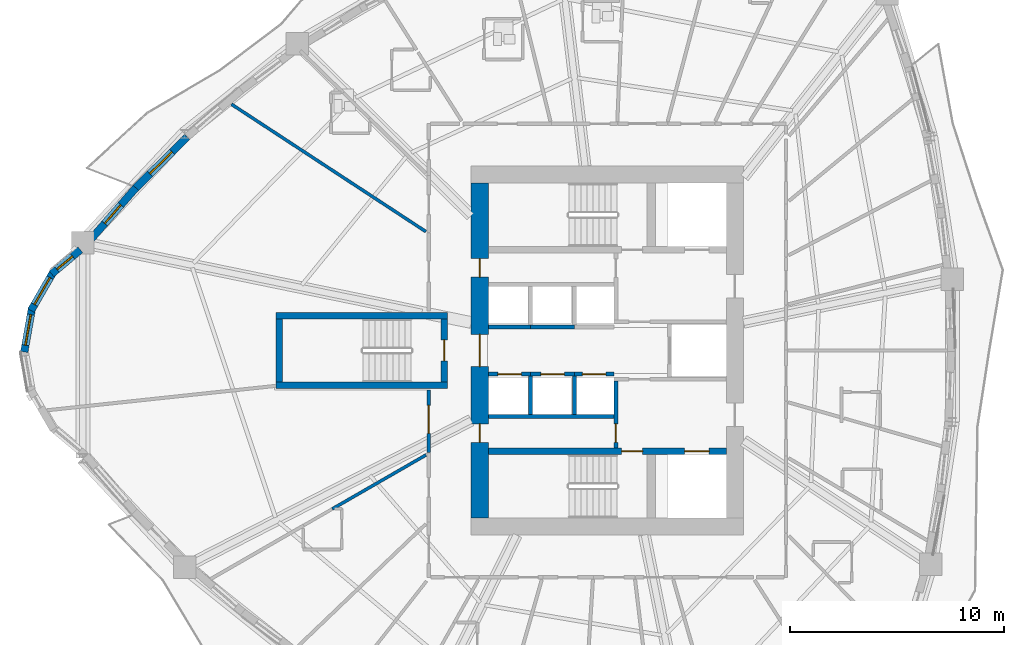
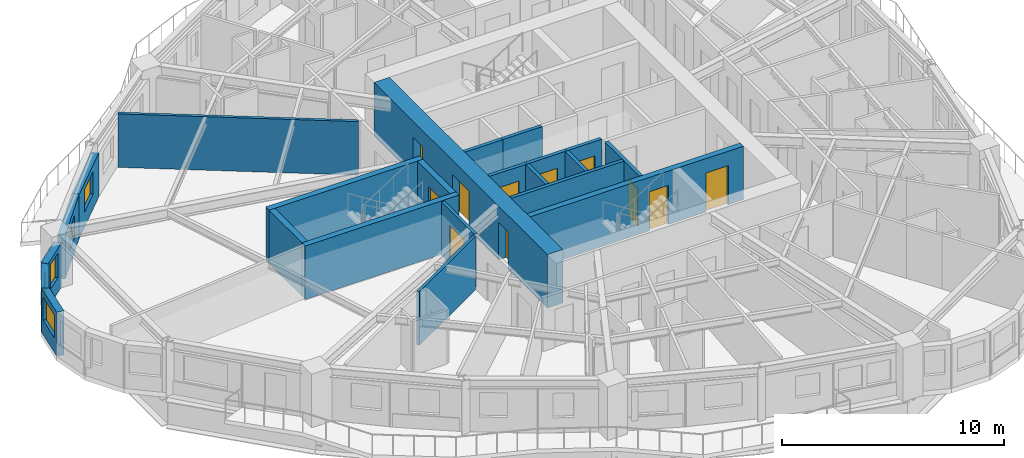
# One storey, part 5 of 14: 23 walls, 11 doors, 5 windows, 16 openings.
"""IFC4 building model written with IfcOpenShell, lengths in metres."""

import ifcopenshell
import ifcopenshell.guid

model = None  # the IFC model being written
_history = None  # IfcOwnerHistory: only IFC2X3 demands one
_inside = {}  # id of a spatial element -> (the spatial element, [elements in it])
_under = {}  # id of a project, library or spatial element -> (it, [spatial elements below it])
_declared = {}  # id of a project -> (the project, [libraries it declares])
_typed = {}  # id of a type object -> (the type object, [elements of that type])
_made_of = {}  # id of a material, layer set ... -> (it, [elements and type objects made of it])


def new_model(schema):
    """Start an empty IFC model of exactly this schema.

    Asked for "IFC4X3", IfcOpenShell would pick the latest addendum, in which some entities
    have other attributes; the version numbers below select the first issue.
    IFC2X3 requires an IfcOwnerHistory on every rooted entity: one is made here for all.
    """
    global model, _history
    if schema == "IFC4X3":
        model = ifcopenshell.file(schema_version=(4, 3, 0, 0))
    else:
        model = ifcopenshell.file(schema=schema)
    _inside.clear()
    _under.clear()
    _declared.clear()
    _typed.clear()
    _made_of.clear()
    _history = None
    if model.schema == "IFC2X3":
        org = make("IfcOrganization", Name="unknown")
        user = make(
            "IfcPersonAndOrganization",
            ThePerson=make("IfcPerson", FamilyName="unknown"),
            TheOrganization=org,
        )
        app = make(
            "IfcApplication",
            ApplicationDeveloper=org,
            Version="unknown",
            ApplicationFullName="unknown",
            ApplicationIdentifier="unknown",
        )
        _history = make(
            "IfcOwnerHistory",
            OwningUser=user,
            OwningApplication=app,
            ChangeAction="ADDED",
            CreationDate=0,
        )
    return model


def make(cls, **values):
    """One entity of the class cls with the attributes given. An attribute that is None is left unset."""
    return model.create_entity(
        cls, **{name: value for name, value in values.items() if value is not None}
    )


def rooted(cls, **values):
    """An entity with a GlobalId (a new one), such as an element, a storey or a relation."""
    return make(cls, GlobalId=ifcopenshell.guid.new(), OwnerHistory=_history, **values)


def si_unit(unit_type, name, prefix=None):
    """IfcSIUnit, for example si_unit("LENGTHUNIT", "METRE", prefix="MILLI")."""
    return make("IfcSIUnit", UnitType=unit_type, Prefix=prefix, Name=name)


def assignment(units):
    """IfcUnitAssignment: the units of a project."""
    return None if units is None else make("IfcUnitAssignment", Units=units)


def point(xyz):
    """IfcCartesianPoint."""
    return None if xyz is None else make("IfcCartesianPoint", Coordinates=xyz)


def direction(xyz):
    """IfcDirection."""
    return None if xyz is None else make("IfcDirection", DirectionRatios=xyz)


def frame(location, z_axis=None, x_axis=None):
    """IfcAxis2Placement3D, a coordinate frame: its origin and axes. An axis left out is left unset."""
    return make(
        "IfcAxis2Placement3D",
        Location=point(location),
        Axis=direction(z_axis),
        RefDirection=direction(x_axis),
    )


def frame_2d(location, x_axis=None):
    """IfcAxis2Placement2D, a coordinate frame in the plane: its origin and x axis."""
    return make(
        "IfcAxis2Placement2D", Location=point(location), RefDirection=direction(x_axis)
    )


def origin():
    """The frame at (0, 0, 0) with its axes left unset."""
    return frame((0.0, 0.0, 0.0))


def place(relative_to, where):
    """IfcLocalPlacement: puts the frame where relative to a parent placement (None: the world)."""
    return make(
        "IfcLocalPlacement", PlacementRelTo=relative_to, RelativePlacement=where
    )


def context(
    kind, dimensions, precision=None, world=None, true_north=None, identifier=None
):
    """IfcGeometricRepresentationContext, for example the 3D "Model" context."""
    return make(
        "IfcGeometricRepresentationContext",
        ContextIdentifier=identifier,
        ContextType=kind,
        CoordinateSpaceDimension=dimensions,
        Precision=precision,
        WorldCoordinateSystem=world,
        TrueNorth=true_north,
    )


def subcontext(parent, identifier, kind, view, scale=None):
    """IfcGeometricRepresentationSubContext, for example "Body" below "Model"."""
    return make(
        "IfcGeometricRepresentationSubContext",
        ContextIdentifier=identifier,
        ContextType=kind,
        ParentContext=parent,
        TargetScale=scale,
        TargetView=view,
    )


def project(units=None, contexts=None):
    """IfcProject with its units and contexts."""
    return rooted(
        "IfcProject",
        Name="project",
        RepresentationContexts=contexts,
        UnitsInContext=assignment(units),
    )


def spatial(cls, under=None, at=None, **own):
    """A site, building, storey or space (cls), placed at a placement, below another one or the project."""
    s = rooted(cls, ObjectPlacement=at, **own)
    if under is not None:
        _under.setdefault(under.id(), (under, []))[1].append(s)
    return s


def profile(cls, at=None, kind="AREA", **sizes):
    """A parametric profile (cls). Its sizes go by their IFC names, for example OverallWidth=200.0."""
    return make(cls, ProfileType=kind, Position=at, **sizes)


def rectangle(**sizes):
    """IfcRectangleProfileDef."""
    return profile("IfcRectangleProfileDef", **sizes)


def extrude(swept, where, along, depth):
    """IfcExtrudedAreaSolid: the profile swept, set in the frame where, extruded along a direction by depth."""
    return make(
        "IfcExtrudedAreaSolid",
        SweptArea=swept,
        Position=where,
        ExtrudedDirection=direction(along),
        Depth=depth,
    )


def shape(context_of_items, identifier, shape_type, items):
    """IfcShapeRepresentation: the items that make up one representation, for example the "Body"."""
    return make(
        "IfcShapeRepresentation",
        ContextOfItems=context_of_items,
        RepresentationIdentifier=identifier,
        RepresentationType=shape_type,
        Items=items,
    )


def source(mapping_origin, context_of_items, identifier, shape_type, items):
    """IfcRepresentationMap: a shape defined once, which mapped items show again and again."""
    return make(
        "IfcRepresentationMap",
        MappingOrigin=mapping_origin,
        MappedRepresentation=shape(context_of_items, identifier, shape_type, items),
    )


def transform(
    local_origin,
    x_axis=None,
    y_axis=None,
    z_axis=None,
    scale=None,
    scale2=None,
    scale3=None,
    uniform=True,
):
    """IfcCartesianTransformationOperator3D, or its non-uniform kind. x_axis, y_axis, z_axis: its Axis1, 2, 3."""
    if uniform:
        return make(
            "IfcCartesianTransformationOperator3D",
            Axis1=direction(x_axis),
            Axis2=direction(y_axis),
            LocalOrigin=point(local_origin),
            Scale=scale,
            Axis3=direction(z_axis),
        )
    return make(
        "IfcCartesianTransformationOperator3DnonUniform",
        Axis1=direction(x_axis),
        Axis2=direction(y_axis),
        LocalOrigin=point(local_origin),
        Scale=scale,
        Axis3=direction(z_axis),
        Scale2=scale2,
        Scale3=scale3,
    )


def mapped(mapping_source, mapping_target):
    """IfcMappedItem: shows the shape of a source again, moved by a transform."""
    return make(
        "IfcMappedItem", MappingSource=mapping_source, MappingTarget=mapping_target
    )


def material(Name=None, Category=None):
    """IfcMaterial."""
    return make("IfcMaterial", Name=Name, Category=Category)


def layer(
    of_material, thickness, ventilated=None, Name=None, Category=None, Priority=None
):
    """IfcMaterialLayer: one layer of a wall or slab, of a material (None: an air gap)."""
    return make(
        "IfcMaterialLayer",
        Material=of_material,
        LayerThickness=thickness,
        IsVentilated=ventilated,
        Name=Name,
        Category=Category,
        Priority=Priority,
    )


def layer_set(layers, Name=None):
    """IfcMaterialLayerSet."""
    return make("IfcMaterialLayerSet", MaterialLayers=layers, LayerSetName=Name)


def made_of(thing, what):
    """Note that an element or type object is made of a material, layer set ...; save() writes the relation."""
    if what is not None:
        _made_of.setdefault(what.id(), (what, []))[1].append(thing)
    return thing


def type_object(cls, material=None, **own):
    """A type object (cls), such as IfcWallType, which elements share."""
    return made_of(rooted(cls, **own), material)


def element(
    cls,
    number,
    at=None,
    inside=None,
    cuts=None,
    type_object=None,
    material=None,
    context=None,
    identifier="Body",
    shape_type=None,
    held_by="IfcProductDefinitionShape",
    body=None,
    shapes=None,
    **own,
):
    """One element of the class cls, such as IfcWall. Its Tag is "e" and its number.

    at: its placement. inside: the storey or other place that contains it. cuts: it is an
    opening in that element (IfcRelVoidsElement). A single representation is given by context,
    identifier, shape_type and body (its items); several are given by shapes. held_by: the class
    of the entity that holds the representations. save() writes the other relations.
    """
    e = rooted(cls, Tag="e%d" % number, ObjectPlacement=at, **own)
    if body is not None:
        shapes = [shape(context, identifier, shape_type, body)]
    if shapes is not None:
        e.Representation = make(held_by, Representations=shapes)
    if inside is not None:
        _inside.setdefault(inside.id(), (inside, []))[1].append(e)
    if cuts is not None:
        rooted(
            "IfcRelVoidsElement", RelatingBuildingElement=cuts, RelatedOpeningElement=e
        )
    if type_object is not None:
        _typed.setdefault(type_object.id(), (type_object, []))[1].append(e)
    return made_of(e, material)


def fill(opening, filler):
    """IfcRelFillsElement: the door or window that sits in an opening."""
    return rooted(
        "IfcRelFillsElement",
        RelatingOpeningElement=opening,
        RelatedBuildingElement=filler,
    )


def aggregate(whole, parts):
    """IfcRelAggregates: a whole, such as a stair, and the parts it consists of."""
    return rooted("IfcRelAggregates", RelatingObject=whole, RelatedObjects=parts)


def save(model, path):
    """Write the relations noted so far, then the file.

    IfcRelAggregates (storeys below a building ...), IfcRelContainedInSpatialStructure (elements
    in a storey), IfcRelDefinesByType, IfcRelAssociatesMaterial and IfcRelDeclares: one each for
    every whole, place, type object, material and project.
    """
    for whole, parts in _under.values():
        aggregate(whole, parts)
    for where, things in _inside.values():
        rooted(
            "IfcRelContainedInSpatialStructure",
            RelatedElements=things,
            RelatingStructure=where,
        )
    for kind, things in _typed.values():
        rooted("IfcRelDefinesByType", RelatedObjects=things, RelatingType=kind)
    for what, things in _made_of.values():
        rooted("IfcRelAssociatesMaterial", RelatedObjects=things, RelatingMaterial=what)
    for by, libraries in _declared.values():
        rooted("IfcRelDeclares", RelatingContext=by, RelatedDefinitions=libraries)
    model.write(path)


model = new_model("IFC4")

# Units and contexts
model_context = context("Model", 3, precision=1e-05, world=origin(), true_north=direction((0.0, 1.0)))
body_context = subcontext(model_context, "Body", "Model", "MODEL_VIEW")
ifc_project = project(units=[si_unit("LENGTHUNIT", "METRE"), si_unit("AREAUNIT", "SQUARE_METRE"), si_unit("VOLUMEUNIT", "CUBIC_METRE"), si_unit("PLANEANGLEUNIT", "RADIAN"), si_unit("MASSUNIT", "GRAM", prefix="KILO")], contexts=[model_context])

# Site, building, storey
site_placement = place(None, origin())
site = spatial("IfcSite", under=ifc_project, at=site_placement, CompositionType="ELEMENT")
building_placement = place(site_placement, origin())
building = spatial("IfcBuilding", under=site, at=building_placement, Name="Qafzar Sky-Pleat Residences", CompositionType="ELEMENT")
storey_placement = place(building_placement, frame((0.0, 0.0, 7.800048828125)))
storey = spatial("IfcBuildingStorey", under=building, at=storey_placement, Name="L01", CompositionType="ELEMENT", Elevation=7.800048828125)

# Wall, opening, door
ifc_material_1 = material(Name="Acoustic gypsum plasterboard partition", Category="gypsum")
ifc_layer_1 = layer(ifc_material_1, 0.159912109375)
ifc_layer_set_1 = layer_set([ifc_layer_1], Name="Acoustic gypsum plasterboard partition")
wall_type_1 = type_object("IfcWallType", Name="PART-COR-160", PredefinedType="PARTITIONING", material=ifc_layer_set_1)
wall_1_placement = place(storey_placement, frame((22.02001953125, 21.23291015625, 0.0), z_axis=(0.0, 0.0, 1.0), x_axis=(0.0, 1.0, 0.0)))
wall_1 = element("IfcWall", 1, at=wall_1_placement, inside=storey, type_object=wall_type_1, Name="L01 Partition Wall PART-L01-PW-008", PredefinedType="PARTITIONING", context=body_context, shape_type="SweptSolid", body=[
    extrude(rectangle(XDim=2.9169921875, YDim=0.159912109375, at=frame_2d((1.45849609375, 0.0))), origin(), (0.0, 0.0, 1.0), 2.93994140625),
])
opening_1_placement = place(wall_1_placement, frame((0.906494140625, 0.0, 0.0)))
opening_1 = element("IfcOpeningElement", 2, at=opening_1_placement, cuts=wall_1, Name="Opening ID-05", PredefinedType="OPENING", context=body_context, shape_type="SweptSolid", body=[
    extrude(rectangle(XDim=1.300048828125, YDim=2.10009765625, at=frame_2d((0.64990234375, 1.050048828125))), frame((0.0, 0.08984375, 0.0), z_axis=(0.0, -1.0, 0.0), x_axis=(1.0, 0.0, 0.0)), (0.0, 0.0, 1.0), 0.179931640625),
])
ifc_material_2 = material(Name="Timber-faced fire door", Category="wood")
door_type_1 = type_object("IfcDoorType", Name="DR-LNG-1300", OperationType="DOUBLE_DOOR_SINGLE_SWING", PredefinedType="DOOR", material=ifc_material_2)
shared_shape_1 = source(origin(), body_context, "Body", "SweptSolid", [
    extrude(rectangle(XDim=1.300048828125, YDim=2.10009765625, at=frame_2d((0.64990234375, 1.050048828125))), frame((0.0, 0.02490234375, 0.0), z_axis=(0.0, -1.0, 0.0), x_axis=(1.0, 0.0, 0.0)), (0.0, 0.0, 1.0), 0.050048828125),
])
door_1_placement = place(opening_1_placement, origin())
door_1 = element("IfcDoor", 3, at=door_1_placement, inside=storey, type_object=door_type_1, Name="L01 Resident Atrium Foyer Door", OperationType="DOUBLE_DOOR_SINGLE_SWING", OverallHeight=2.10009765625, OverallWidth=1.300048828125, PredefinedType="DOOR", context=body_context, shape_type="MappedRepresentation", body=[
    mapped(shared_shape_1, transform((0.0, 0.0, 0.0), x_axis=(1.0, 0.0, 0.0), y_axis=(0.0, 1.0, 0.0), z_axis=(0.0, 0.0, 1.0), scale=1.0)),
])
fill(opening_1, door_1)

ifc_material_3 = material(Name="Concrete blockwork partition", Category="masonry")
ifc_layer_2 = layer(ifc_material_3, 0.179931640625)
ifc_layer_set_2 = layer_set([ifc_layer_2], Name="Concrete blockwork partition")
wall_type_2 = type_object("IfcWallType", Name="PART-SHAFT-180", PredefinedType="PARTITIONING", material=ifc_layer_set_2)
wall_2_placement = place(storey_placement, frame((30.75, 21.4599609375, 0.0), z_axis=(0.0, 0.0, 1.0), x_axis=(0.0, 1.0, 0.0)))
wall_2 = element("IfcWall", 4, at=wall_2_placement, inside=storey, type_object=wall_type_2, Name="L01 Partition Wall PART-L01-FFL1-W", PredefinedType="PARTITIONING", context=body_context, shape_type="SweptSolid", body=[
    extrude(rectangle(XDim=3.110107421875, YDim=0.179931640625, at=frame_2d((1.55517578125, 0.0))), origin(), (0.0, 0.0, 1.0), 2.93994140625),
])
opening_2_placement = place(wall_2_placement, frame((0.260009765625, 0.0, 0.0)))
opening_2 = element("IfcOpeningElement", 5, at=opening_2_placement, cuts=wall_2, Name="Opening ID-09", PredefinedType="OPENING", context=body_context, shape_type="SweptSolid", body=[
    extrude(rectangle(XDim=0.860107421875, YDim=2.050048828125, at=frame_2d((0.43017578125, 1.02490234375))), frame((0.0, 0.10009765625, 0.0), z_axis=(0.0, -1.0, 0.0), x_axis=(1.0, 0.0, 0.0)), (0.0, 0.0, 1.0), 0.199951171875),
])
door_type_2 = type_object("IfcDoorType", Name="DR-SVC-860", OperationType="NOTDEFINED", PredefinedType="DOOR", material=ifc_material_2)
shared_shape_2 = source(origin(), body_context, "Body", "SweptSolid", [
    extrude(rectangle(XDim=0.860107421875, YDim=2.050048828125, at=frame_2d((0.43017578125, 1.02490234375))), frame((0.0, 0.02490234375, 0.0), z_axis=(0.0, -1.0, 0.0), x_axis=(1.0, 0.0, 0.0)), (0.0, 0.0, 1.0), 0.050048828125),
])
door_2_placement = place(opening_2_placement, origin())
door_2 = element("IfcDoor", 6, at=door_2_placement, inside=storey, type_object=door_type_2, Name="L01 South Core Cupboard Door", OperationType="SINGLE_SWING_LEFT", OverallHeight=2.050048828125, OverallWidth=0.860107421875, PredefinedType="DOOR", context=body_context, shape_type="MappedRepresentation", body=[
    mapped(shared_shape_2, transform((0.0, 0.0, 0.0), x_axis=(1.0, 0.0, 0.0), y_axis=(0.0, 1.0, 0.0), z_axis=(0.0, 0.0, 1.0), scale=1.0)),
])
fill(opening_2, door_2)

# Wall
wall_3_placement = place(storey_placement, frame((24.81005859375, 22.919921875, 0.0), z_axis=(0.0, 0.0, 1.0), x_axis=(1.0, 0.0, 0.0)))
element("IfcWall", 7, at=wall_3_placement, inside=storey, type_object=wall_type_2, Name="L01 Partition Wall PART-L01-P13-S", PredefinedType="PARTITIONING", context=body_context, shape_type="SweptSolid", body=[
    extrude(rectangle(XDim=5.83984375, YDim=0.179931640625, at=frame_2d((2.919921875, 0.0))), origin(), (0.0, 0.0, 1.0), 2.93994140625),
])

# Wall, opening, door
wall_4_placement = place(storey_placement, frame((24.81005859375, 24.89990234375, 0.0), z_axis=(0.0, 0.0, 1.0), x_axis=(1.0, 0.0, 0.0)))
wall_4 = element("IfcWall", 8, at=wall_4_placement, inside=storey, type_object=wall_type_2, Name="L01 Partition Wall PART-L01-P1-N", PredefinedType="PARTITIONING", context=body_context, shape_type="SweptSolid", body=[
    extrude(rectangle(XDim=1.96484375, YDim=0.179931640625, at=frame_2d((0.982421875, 0.0))), origin(), (0.0, 0.0, 1.0), 2.93994140625),
])
opening_3_placement = place(wall_4_placement, frame((0.4326171875, 0.0, 0.0)))
opening_3 = element("IfcOpeningElement", 9, at=opening_3_placement, cuts=wall_4, Name="Opening LD-01", PredefinedType="OPENING", context=body_context, shape_type="SweptSolid", body=[
    extrude(rectangle(XDim=1.10009765625, YDim=2.14990234375, at=frame_2d((0.550048828125, 1.074951171875))), frame((0.0, 0.10009765625, 0.0), z_axis=(0.0, -1.0, 0.0), x_axis=(1.0, 0.0, 0.0)), (0.0, 0.0, 1.0), 0.199951171875),
])
ifc_material_4 = material(Name="Stainless steel sliding landing door", Category="steel")
door_type_3 = type_object("IfcDoorType", Name="DR-LIFT-P", OperationType="DOUBLE_DOOR_SLIDING", PredefinedType="DOOR", material=ifc_material_4)
shared_shape_3 = source(origin(), body_context, "Body", "SweptSolid", [
    extrude(rectangle(XDim=1.10009765625, YDim=2.14990234375, at=frame_2d((0.550048828125, 1.074951171875))), frame((0.0, 0.02490234375, 0.0), z_axis=(0.0, -1.0, 0.0), x_axis=(1.0, 0.0, 0.0)), (0.0, 0.0, 1.0), 0.050048828125),
])
door_3_placement = place(opening_3_placement, origin())
door_3 = element("IfcDoor", 10, at=door_3_placement, inside=storey, type_object=door_type_3, Name="L01 Passenger Lift P1 Landing Door", OperationType="DOUBLE_DOOR_SLIDING", OverallHeight=2.14990234375, OverallWidth=1.10009765625, PredefinedType="DOOR", context=body_context, shape_type="MappedRepresentation", body=[
    mapped(shared_shape_3, transform((0.0, 0.0, 0.0), x_axis=(1.0, 0.0, 0.0), y_axis=(0.0, 1.0, 0.0), z_axis=(0.0, 0.0, 1.0), scale=1.0)),
])
fill(opening_3, door_3)

wall_5_placement = place(storey_placement, frame((26.77490234375, 24.89990234375, 0.0), z_axis=(0.0, 0.0, 1.0), x_axis=(1.0, 0.0, 0.0)))
wall_5 = element("IfcWall", 11, at=wall_5_placement, inside=storey, type_object=wall_type_2, Name="L01 Partition Wall PART-L01-P2-N", PredefinedType="PARTITIONING", context=body_context, shape_type="SweptSolid", body=[
    extrude(rectangle(XDim=2.050048828125, YDim=0.179931640625, at=frame_2d((1.02490234375, 0.0))), origin(), (0.0, 0.0, 1.0), 2.93994140625),
])
opening_4_placement = place(wall_5_placement, frame((0.47509765625, 0.0, 0.0)))
opening_4 = element("IfcOpeningElement", 12, at=opening_4_placement, cuts=wall_5, Name="Opening LD-01", PredefinedType="OPENING", context=body_context, shape_type="SweptSolid", body=[
    extrude(rectangle(XDim=1.10009765625, YDim=2.14990234375, at=frame_2d((0.550048828125, 1.074951171875))), frame((0.0, 0.10009765625, 0.0), z_axis=(0.0, -1.0, 0.0), x_axis=(1.0, 0.0, 0.0)), (0.0, 0.0, 1.0), 0.199951171875),
])
door_4_placement = place(opening_4_placement, origin())
door_4 = element("IfcDoor", 13, at=door_4_placement, inside=storey, type_object=door_type_3, Name="L01 Passenger Lift P2 Landing Door", OperationType="DOUBLE_DOOR_SLIDING", OverallHeight=2.14990234375, OverallWidth=1.10009765625, PredefinedType="DOOR", context=body_context, shape_type="MappedRepresentation", body=[
    mapped(shared_shape_3, transform((0.0, 0.0, 0.0), x_axis=(1.0, 0.0, 0.0), y_axis=(0.0, 1.0, 0.0), z_axis=(0.0, 0.0, 1.0), scale=1.0)),
])
fill(opening_4, door_4)

# Wall
wall_6_placement = place(storey_placement, frame((26.77490234375, 23.02001953125, 0.0), z_axis=(0.0, 0.0, 1.0), x_axis=(0.0, 1.0, 0.0)))
element("IfcWall", 14, at=wall_6_placement, inside=storey, type_object=wall_type_2, Name="L01 Partition Wall PART-L01-P13-DIV-1", PredefinedType="PARTITIONING", context=body_context, shape_type="SweptSolid", body=[
    extrude(rectangle(XDim=1.780029296875, YDim=0.179931640625, at=frame_2d((0.89013671875, 0.0))), origin(), (0.0, 0.0, 1.0), 2.93994140625),
])

# Wall, opening, door
wall_7_placement = place(storey_placement, frame((28.824951171875, 24.89990234375, 0.0), z_axis=(0.0, 0.0, 1.0), x_axis=(1.0, 0.0, 0.0)))
wall_7 = element("IfcWall", 15, at=wall_7_placement, inside=storey, type_object=wall_type_2, Name="L01 Partition Wall PART-L01-P3-N", PredefinedType="PARTITIONING", context=body_context, shape_type="SweptSolid", body=[
    extrude(rectangle(XDim=1.824951171875, YDim=0.179931640625, at=frame_2d((0.91259765625, 0.0))), origin(), (0.0, 0.0, 1.0), 2.93994140625),
])
opening_5_placement = place(wall_7_placement, frame((0.362548828125, 0.0, 0.0)))
opening_5 = element("IfcOpeningElement", 16, at=opening_5_placement, cuts=wall_7, Name="Opening LD-01", PredefinedType="OPENING", context=body_context, shape_type="SweptSolid", body=[
    extrude(rectangle(XDim=1.10009765625, YDim=2.14990234375, at=frame_2d((0.550048828125, 1.074951171875))), frame((0.0, 0.10009765625, 0.0), z_axis=(0.0, -1.0, 0.0), x_axis=(1.0, 0.0, 0.0)), (0.0, 0.0, 1.0), 0.199951171875),
])
door_5_placement = place(opening_5_placement, origin())
door_5 = element("IfcDoor", 17, at=door_5_placement, inside=storey, type_object=door_type_3, Name="L01 Passenger Lift P3 Landing Door", OperationType="DOUBLE_DOOR_SLIDING", OverallHeight=2.14990234375, OverallWidth=1.10009765625, PredefinedType="DOOR", context=body_context, shape_type="MappedRepresentation", body=[
    mapped(shared_shape_3, transform((0.0, 0.0, 0.0), x_axis=(1.0, 0.0, 0.0), y_axis=(0.0, 1.0, 0.0), z_axis=(0.0, 0.0, 1.0), scale=1.0)),
])
fill(opening_5, door_5)

# Walls
wall_8_placement = place(storey_placement, frame((28.824951171875, 23.02001953125, 0.0), z_axis=(0.0, 0.0, 1.0), x_axis=(0.0, 1.0, 0.0)))
element("IfcWall", 18, at=wall_8_placement, inside=storey, type_object=wall_type_2, Name="L01 Partition Wall PART-L01-P13-DIV-2", PredefinedType="PARTITIONING", context=body_context, shape_type="SweptSolid", body=[
    extrude(rectangle(XDim=1.780029296875, YDim=0.179931640625, at=frame_2d((0.89013671875, 0.0))), origin(), (0.0, 0.0, 1.0), 2.93994140625),
])
wall_9_placement = place(storey_placement, frame((24.81005859375, 27.10009765625, 0.0), z_axis=(0.0, 0.0, 1.0), x_axis=(1.0, 0.0, 0.0)))
element("IfcWall", 19, at=wall_9_placement, inside=storey, type_object=wall_type_2, Name="L01 Partition Wall PART-L01-P4-S", PredefinedType="PARTITIONING", context=body_context, shape_type="SweptSolid", body=[
    extrude(rectangle(XDim=1.96484375, YDim=0.179931640625, at=frame_2d((0.982421875, 0.0))), origin(), (0.0, 0.0, 1.0), 2.93994140625),
])
wall_10_placement = place(storey_placement, frame((26.77490234375, 27.10009765625, 0.0), z_axis=(0.0, 0.0, 1.0), x_axis=(1.0, 0.0, 0.0)))
element("IfcWall", 20, at=wall_10_placement, inside=storey, type_object=wall_type_2, Name="L01 Partition Wall PART-L01-P5-S", PredefinedType="PARTITIONING", context=body_context, shape_type="SweptSolid", body=[
    extrude(rectangle(XDim=2.050048828125, YDim=0.179931640625, at=frame_2d((1.02490234375, 0.0))), origin(), (0.0, 0.0, 1.0), 2.93994140625),
])
ifc_layer_3 = layer(ifc_material_1, 0.14501953125)
ifc_layer_set_3 = layer_set([ifc_layer_3], Name="Acoustic gypsum plasterboard partition")
wall_type_3 = type_object("IfcWallType", Name="PART-UNIT-145", PredefinedType="PARTITIONING", material=ifc_layer_set_3)
wall_11_placement = place(storey_placement, frame((12.82861328125, 37.4794921875, 0.0), z_axis=(0.0, 0.0, 1.0), x_axis=(0.836435846472, -0.548064845376, 0.0)))
element("IfcWall", 21, at=wall_11_placement, inside=storey, type_object=wall_type_3, Name="L01 Partition Wall PART-L01-PW-041", PredefinedType="PARTITIONING", context=body_context, shape_type="SweptSolid", body=[
    extrude(rectangle(XDim=10.837646484375, YDim=0.14501953125, at=frame_2d((5.4189453125, 0.0))), origin(), (0.0, 0.0, 1.0), 2.93994140625),
])
wall_12_placement = place(storey_placement, frame((17.52392578125, 18.610107421875, 0.0), z_axis=(0.0, 0.0, 1.0), x_axis=(0.866454437228, 0.499256154903, 0.0)))
element("IfcWall", 22, at=wall_12_placement, inside=storey, type_object=wall_type_3, Name="L01 Partition Wall PART-L01-PW-056", PredefinedType="PARTITIONING", context=body_context, shape_type="SweptSolid", body=[
    extrude(rectangle(XDim=5.047119140625, YDim=0.14501953125, at=frame_2d((2.5234375, 0.0))), origin(), (0.0, 0.0, 1.0), 2.93994140625),
])

# Wall, opening, window
ifc_material_5 = material(Name="Precast concrete C40/50 with honed Riyadh limestone", Category="concrete")
ifc_layer_4 = layer(ifc_material_5, 0.35009765625)
ifc_layer_set_4 = layer_set([ifc_layer_4], Name="Precast concrete C40/50 with honed Riyadh limestone")
wall_type_4 = type_object("IfcWallType", Name="WALL-EXT-350", PredefinedType="SOLIDWALL", material=ifc_layer_set_4)
wall_13_placement = place(storey_placement, frame((5.78271484375, 30.696044921875, 0.0), z_axis=(0.0, 0.0, 1.0), x_axis=(-0.766058770736, -0.642770534311, 0.0)))
wall_13 = element("IfcWall", 23, at=wall_13_placement, inside=storey, type_object=wall_type_4, Name="L01 Limestone Facade Wall 1", PredefinedType="SOLIDWALL", context=body_context, shape_type="SweptSolid", body=[
    extrude(rectangle(XDim=1.75244140625, YDim=0.35009765625, at=frame_2d((0.876220703125, 0.0))), origin(), (0.0, 0.0, 1.0), 2.419921875),
])
opening_6_placement = place(wall_13_placement, frame((0.476318359375, 0.0, 0.820068359375)))
opening_6 = element("IfcOpeningElement", 24, at=opening_6_placement, cuts=wall_13, Name="Opening WN-12", PredefinedType="OPENING", context=body_context, shape_type="SweptSolid", body=[
    extrude(rectangle(XDim=0.949951171875, YDim=1.35009765625, at=frame_2d((0.47509765625, 0.675048828125))), frame((0.0, 0.18505859375, 0.0), z_axis=(0.0, -1.0, 0.0), x_axis=(1.0, 0.0, 0.0)), (0.0, 0.0, 1.0), 0.3701171875),
])
ifc_material_6 = material(Name="Solar-control low-E glass in bronze aluminium frame", Category="glass")
window_type_1 = type_object("IfcWindowType", Name="WIN-12", PartitioningType="SINGLE_PANEL", PredefinedType="WINDOW", material=ifc_material_6)
shared_shape_4 = source(origin(), body_context, "Body", "SweptSolid", [
    extrude(rectangle(XDim=0.949951171875, YDim=1.35009765625, at=frame_2d((0.47509765625, 0.675048828125))), frame((0.0, 0.030029296875, 0.0), z_axis=(0.0, -1.0, 0.0), x_axis=(1.0, 0.0, 0.0)), (0.0, 0.0, 1.0), 0.06005859375),
])
window_1_placement = place(opening_6_placement, origin())
window_1 = element("IfcWindow", 25, at=window_1_placement, inside=storey, type_object=window_type_1, Name="L01 Punched Facade Window 01", OverallHeight=1.35009765625, OverallWidth=0.949951171875, PartitioningType="SINGLE_PANEL", PredefinedType="WINDOW", context=body_context, shape_type="MappedRepresentation", body=[
    mapped(shared_shape_4, transform((0.0, 0.0, 0.0), x_axis=(1.0, 0.0, 0.0), y_axis=(0.0, 1.0, 0.0), z_axis=(0.0, 0.0, 1.0), scale=1.0)),
])
fill(opening_6, window_1)

wall_14_placement = place(storey_placement, frame((4.527587890625, 29.673583984375, 0.0), z_axis=(0.0, 0.0, 1.0), x_axis=(-0.499995423472, -0.866028046028, 0.0)))
wall_14 = element("IfcWall", 26, at=wall_14_placement, inside=storey, type_object=wall_type_4, Name="L01 Limestone Facade Wall 2", PredefinedType="SOLIDWALL", context=body_context, shape_type="SweptSolid", body=[
    extrude(rectangle(XDim=2.09033203125, YDim=0.35009765625, at=frame_2d((1.045166015625, 0.0))), origin(), (0.0, 0.0, 1.0), 2.419921875),
])
opening_7_placement = place(wall_14_placement, frame((0.3203125, 0.0, 0.820068359375)))
opening_7 = element("IfcOpeningElement", 27, at=opening_7_placement, cuts=wall_14, Name="Opening WN-15", PredefinedType="OPENING", context=body_context, shape_type="SweptSolid", body=[
    extrude(rectangle(XDim=1.449951171875, YDim=1.25, at=frame_2d((0.72509765625, 0.625))), frame((0.0, 0.18505859375, 0.0), z_axis=(0.0, -1.0, 0.0), x_axis=(1.0, 0.0, 0.0)), (0.0, 0.0, 1.0), 0.3701171875),
])
window_type_2 = type_object("IfcWindowType", Name="WIN-15", PartitioningType="SINGLE_PANEL", PredefinedType="WINDOW", material=ifc_material_6)
shared_shape_5 = source(origin(), body_context, "Body", "SweptSolid", [
    extrude(rectangle(XDim=1.449951171875, YDim=1.25, at=frame_2d((0.72509765625, 0.625))), frame((0.0, 0.030029296875, 0.0), z_axis=(0.0, -1.0, 0.0), x_axis=(1.0, 0.0, 0.0)), (0.0, 0.0, 1.0), 0.06005859375),
])
window_2_placement = place(opening_7_placement, origin())
window_2 = element("IfcWindow", 28, at=window_2_placement, inside=storey, type_object=window_type_2, Name="L01 Punched Facade Window 02", OverallHeight=1.25, OverallWidth=1.449951171875, PartitioningType="SINGLE_PANEL", PredefinedType="WINDOW", context=body_context, shape_type="MappedRepresentation", body=[
    mapped(shared_shape_5, transform((0.0, 0.0, 0.0), x_axis=(1.0, 0.0, 0.0), y_axis=(0.0, 1.0, 0.0), z_axis=(0.0, 0.0, 1.0), scale=1.0)),
])
fill(opening_7, window_2)

wall_15_placement = place(storey_placement, frame((3.52880859375, 27.99072265625, 0.0), z_axis=(0.0, 0.0, 1.0), x_axis=(-0.173672066494, -0.984803540469, 0.0)))
wall_15 = element("IfcWall", 29, at=wall_15_placement, inside=storey, type_object=wall_type_4, Name="L01 Limestone Facade Wall 3", PredefinedType="SOLIDWALL", context=body_context, shape_type="SweptSolid", body=[
    extrude(rectangle(XDim=2.09033203125, YDim=0.35009765625, at=frame_2d((1.045166015625, 0.0))), origin(), (0.0, 0.0, 1.0), 2.419921875),
])
opening_8_placement = place(wall_15_placement, frame((0.3203125, 0.0, 0.820068359375)))
opening_8 = element("IfcOpeningElement", 30, at=opening_8_placement, cuts=wall_15, Name="Opening WN-15", PredefinedType="OPENING", context=body_context, shape_type="SweptSolid", body=[
    extrude(rectangle(XDim=1.449951171875, YDim=1.25, at=frame_2d((0.72509765625, 0.625))), frame((0.0, 0.18505859375, 0.0), z_axis=(0.0, -1.0, 0.0), x_axis=(1.0, 0.0, 0.0)), (0.0, 0.0, 1.0), 0.3701171875),
])
window_3_placement = place(opening_8_placement, origin())
window_3 = element("IfcWindow", 31, at=window_3_placement, inside=storey, type_object=window_type_2, Name="L01 Punched Facade Window 03", OverallHeight=1.25, OverallWidth=1.449951171875, PartitioningType="SINGLE_PANEL", PredefinedType="WINDOW", context=body_context, shape_type="MappedRepresentation", body=[
    mapped(shared_shape_5, transform((0.0, 0.0, 0.0), x_axis=(1.0, 0.0, 0.0), y_axis=(0.0, 1.0, 0.0), z_axis=(0.0, 0.0, 1.0), scale=1.0)),
])
fill(opening_8, window_3)

wall_16_placement = place(storey_placement, frame((10.75830078125, 35.96142578125, 0.0), z_axis=(0.0, 0.0, 1.0), x_axis=(-0.708411305333, -0.705799845903, 0.0)))
wall_16 = element("IfcWall", 32, at=wall_16_placement, inside=storey, type_object=wall_type_4, Name="L01 Limestone Facade Wall 47", PredefinedType="SOLIDWALL", context=body_context, shape_type="SweptSolid", body=[
    extrude(rectangle(XDim=3.458984375, YDim=0.35009765625, at=frame_2d((1.7294921875, 0.0))), origin(), (0.0, 0.0, 1.0), 2.419921875),
])
opening_9_placement = place(wall_16_placement, frame((0.99462890625, 0.0, 0.820068359375)))
opening_9 = element("IfcOpeningElement", 33, at=opening_9_placement, cuts=wall_16, Name="Opening WN-15", PredefinedType="OPENING", context=body_context, shape_type="SweptSolid", body=[
    extrude(rectangle(XDim=1.449951171875, YDim=1.25, at=frame_2d((0.72509765625, 0.625))), frame((0.0, 0.18505859375, 0.0), z_axis=(0.0, -1.0, 0.0), x_axis=(1.0, 0.0, 0.0)), (0.0, 0.0, 1.0), 0.3701171875),
])
window_4_placement = place(opening_9_placement, origin())
window_4 = element("IfcWindow", 34, at=window_4_placement, inside=storey, type_object=window_type_2, Name="L01 Punched Facade Window 47", OverallHeight=1.25, OverallWidth=1.449951171875, PartitioningType="SINGLE_PANEL", PredefinedType="WINDOW", context=body_context, shape_type="MappedRepresentation", body=[
    mapped(shared_shape_5, transform((0.0, 0.0, 0.0), x_axis=(1.0, 0.0, 0.0), y_axis=(0.0, 1.0, 0.0), z_axis=(0.0, 0.0, 1.0), scale=1.0)),
])
fill(opening_9, window_4)

wall_17_placement = place(storey_placement, frame((8.3681640625, 33.584228515625, 0.0), z_axis=(0.0, 0.0, 1.0), x_axis=(-0.657638042269, -0.753334059605, 0.0)))
wall_17 = element("IfcWall", 35, at=wall_17_placement, inside=storey, type_object=wall_type_4, Name="L01 Limestone Facade Wall 48", PredefinedType="SOLIDWALL", context=body_context, shape_type="SweptSolid", body=[
    extrude(rectangle(XDim=3.252685546875, YDim=0.35009765625, at=frame_2d((1.62646484375, 0.0))), origin(), (0.0, 0.0, 1.0), 2.419921875),
])
opening_10_placement = place(wall_17_placement, frame((1.056396484375, 0.0, 0.820068359375)))
opening_10 = element("IfcOpeningElement", 36, at=opening_10_placement, cuts=wall_17, Name="Opening WN-16", PredefinedType="OPENING", context=body_context, shape_type="SweptSolid", body=[
    extrude(rectangle(XDim=1.14990234375, YDim=1.199951171875, at=frame_2d((0.574951171875, 0.60009765625))), frame((0.0, 0.18505859375, 0.0), z_axis=(0.0, -1.0, 0.0), x_axis=(1.0, 0.0, 0.0)), (0.0, 0.0, 1.0), 0.3701171875),
])
window_type_3 = type_object("IfcWindowType", Name="WIN-16", PartitioningType="SINGLE_PANEL", PredefinedType="WINDOW", material=ifc_material_6)
shared_shape_6 = source(origin(), body_context, "Body", "SweptSolid", [
    extrude(rectangle(XDim=1.14990234375, YDim=1.199951171875, at=frame_2d((0.574951171875, 0.60009765625))), frame((0.0, 0.030029296875, 0.0), z_axis=(0.0, -1.0, 0.0), x_axis=(1.0, 0.0, 0.0)), (0.0, 0.0, 1.0), 0.06005859375),
])
window_5_placement = place(opening_10_placement, origin())
window_5 = element("IfcWindow", 37, at=window_5_placement, inside=storey, type_object=window_type_3, Name="L01 Punched Facade Window 48", OverallHeight=1.199951171875, OverallWidth=1.14990234375, PartitioningType="SINGLE_PANEL", PredefinedType="WINDOW", context=body_context, shape_type="MappedRepresentation", body=[
    mapped(shared_shape_6, transform((0.0, 0.0, 0.0), x_axis=(1.0, 0.0, 0.0), y_axis=(0.0, 1.0, 0.0), z_axis=(0.0, 0.0, 1.0), scale=1.0)),
])
fill(opening_10, window_5)

# Wall, openings, doors
ifc_material_7 = material(Name="Concrete C60/75", Category="concrete")
ifc_layer_5 = layer(ifc_material_7, 0.300048828125)
ifc_layer_set_5 = layer_set([ifc_layer_5], Name="Concrete C60/75")
wall_type_5 = type_object("IfcWallType", Name="WALL-SHEAR-300", PredefinedType="SHEAR", material=ifc_layer_set_5)
wall_18_placement = place(storey_placement, frame((24.800048828125, 21.300048828125, 0.0), z_axis=(0.0, 0.0, 1.0), x_axis=(1.0, 0.0, 0.0)))
wall_18 = element("IfcWall", 38, at=wall_18_placement, inside=storey, type_object=wall_type_5, Name="L01 Stair ST1 and FF1 Shaft North Wall", PredefinedType="SHEAR", context=body_context, shape_type="SweptSolid", body=[
    extrude(rectangle(XDim=11.099853515625, YDim=0.300048828125, at=frame_2d((5.5498046875, 0.0))), origin(), (0.0, 0.0, 1.0), 2.93994140625),
])
opening_11_placement = place(wall_18_placement, frame((6.219970703125, 0.0, 0.0)))
opening_11 = element("IfcOpeningElement", 39, at=opening_11_placement, cuts=wall_18, Name="Opening ID-01", PredefinedType="OPENING", context=body_context, shape_type="SweptSolid", body=[
    extrude(rectangle(XDim=0.97998046875, YDim=2.14990234375, at=frame_2d((0.489990234375, 1.074951171875))), frame((0.0, 0.16015625, 0.0), z_axis=(0.0, -1.0, 0.0), x_axis=(1.0, 0.0, 0.0)), (0.0, 0.0, 1.0), 0.320068359375),
])
opening_12_placement = place(wall_18_placement, frame((9.14990234375, 0.0, 0.0)))
opening_12 = element("IfcOpeningElement", 40, at=opening_12_placement, cuts=wall_18, Name="Opening LD-02", PredefinedType="OPENING", context=body_context, shape_type="SweptSolid", body=[
    extrude(rectangle(XDim=1.14990234375, YDim=2.14990234375, at=frame_2d((0.574951171875, 1.074951171875))), frame((0.0, 0.16015625, 0.0), z_axis=(0.0, -1.0, 0.0), x_axis=(1.0, 0.0, 0.0)), (0.0, 0.0, 1.0), 0.320068359375),
])
door_type_4 = type_object("IfcDoorType", Name="DR-STAIR-980", OperationType="NOTDEFINED", PredefinedType="DOOR", material=ifc_material_2)
shared_shape_7 = source(origin(), body_context, "Body", "SweptSolid", [
    extrude(rectangle(XDim=0.97998046875, YDim=2.14990234375, at=frame_2d((0.489990234375, 1.074951171875))), frame((0.0, 0.02490234375, 0.0), z_axis=(0.0, -1.0, 0.0), x_axis=(1.0, 0.0, 0.0)), (0.0, 0.0, 1.0), 0.050048828125),
])
door_6_placement = place(opening_11_placement, origin())
door_6 = element("IfcDoor", 41, at=door_6_placement, inside=storey, type_object=door_type_4, Name="L01 Stair ST1 Fire Door", OperationType="SINGLE_SWING_RIGHT", OverallHeight=2.14990234375, OverallWidth=0.97998046875, PredefinedType="DOOR", context=body_context, shape_type="MappedRepresentation", body=[
    mapped(shared_shape_7, transform((0.0, 0.0, 0.0), x_axis=(1.0, 0.0, 0.0), y_axis=(0.0, 1.0, 0.0), z_axis=(0.0, 0.0, 1.0), scale=1.0)),
])
fill(opening_11, door_6)
door_type_5 = type_object("IfcDoorType", Name="DR-LIFT-FF", OperationType="DOUBLE_DOOR_SLIDING", PredefinedType="DOOR", material=ifc_material_4)
shared_shape_8 = source(origin(), body_context, "Body", "SweptSolid", [
    extrude(rectangle(XDim=1.14990234375, YDim=2.14990234375, at=frame_2d((0.574951171875, 1.074951171875))), frame((0.0, 0.02490234375, 0.0), z_axis=(0.0, -1.0, 0.0), x_axis=(1.0, 0.0, 0.0)), (0.0, 0.0, 1.0), 0.050048828125),
])
door_7_placement = place(opening_12_placement, origin())
door_7 = element("IfcDoor", 42, at=door_7_placement, inside=storey, type_object=door_type_5, Name="L01 Firefighting Lift FF1 Landing Door", OperationType="DOUBLE_DOOR_SLIDING", OverallHeight=2.14990234375, OverallWidth=1.14990234375, PredefinedType="DOOR", context=body_context, shape_type="MappedRepresentation", body=[
    mapped(shared_shape_8, transform((0.0, 0.0, 0.0), x_axis=(1.0, 0.0, 0.0), y_axis=(0.0, 1.0, 0.0), z_axis=(0.0, 0.0, 1.0), scale=1.0)),
])
fill(opening_12, door_7)

# Walls
for number, where, z_axis, x_axis, name in (
    (43, (14.89990234375, 24.375, 0.0), (0.0, 0.0, 1.0), (1.0, 0.0, 0.0), "L01 ST3 wall S"),
    (44, (22.89990234375, 27.625, 0.0), (0.0, 0.0, 1.0), (-1.0, 0.0, 0.0), "L01 ST3 wall N"),
):
    element("IfcWall", number, at=place(storey_placement, frame(where, z_axis=z_axis, x_axis=x_axis)), inside=storey, type_object=wall_type_5, Name=name, PredefinedType="SHEAR", context=body_context, shape_type="SweptSolid", body=[
        extrude(rectangle(XDim=8.0, YDim=0.300048828125, at=frame_2d((4.0, 0.0))), origin(), (0.0, 0.0, 1.0), 2.93994140625),
    ])
wall_19_placement = place(storey_placement, frame((15.050048828125, 27.47509765625, 0.0), z_axis=(0.0, 0.0, 1.0), x_axis=(0.0, -1.0, 0.0)))
element("IfcWall", 45, at=wall_19_placement, inside=storey, type_object=wall_type_5, Name="L01 ST3 wall W", PredefinedType="SHEAR", context=body_context, shape_type="SweptSolid", body=[
    extrude(rectangle(XDim=2.9501953125, YDim=0.300048828125, at=frame_2d((1.47509765625, 0.0))), origin(), (0.0, 0.0, 1.0), 2.93994140625),
])

# Wall, opening, door
wall_20_placement = place(storey_placement, frame((22.75, 24.52490234375, 0.0), z_axis=(0.0, 0.0, 1.0), x_axis=(0.0, 1.0, 0.0)))
wall_20 = element("IfcWall", 46, at=wall_20_placement, inside=storey, type_object=wall_type_5, Name="L01 ST3 wall E", PredefinedType="SHEAR", context=body_context, shape_type="SweptSolid", body=[
    extrude(rectangle(XDim=2.9501953125, YDim=0.300048828125, at=frame_2d((1.47509765625, 0.0))), origin(), (0.0, 0.0, 1.0), 2.93994140625),
])
opening_13_placement = place(wall_20_placement, frame((0.985107421875, 0.0, 0.0)))
opening_13 = element("IfcOpeningElement", 47, at=opening_13_placement, cuts=wall_20, Name="Opening ID-01", PredefinedType="OPENING", context=body_context, shape_type="SweptSolid", body=[
    extrude(rectangle(XDim=0.97998046875, YDim=2.14990234375, at=frame_2d((0.489990234375, 1.074951171875))), frame((0.0, 0.16015625, 0.0), z_axis=(0.0, -1.0, 0.0), x_axis=(1.0, 0.0, 0.0)), (0.0, 0.0, 1.0), 0.320068359375),
])
door_8_placement = place(opening_13_placement, origin())
door_8 = element("IfcDoor", 48, at=door_8_placement, inside=storey, type_object=door_type_4, Name="L01 Stair ST3 Fire Door", OperationType="SINGLE_SWING_RIGHT", OverallHeight=2.14990234375, OverallWidth=0.97998046875, PredefinedType="DOOR", context=body_context, shape_type="MappedRepresentation", body=[
    mapped(shared_shape_7, transform((0.0, 0.0, 0.0), x_axis=(1.0, 0.0, 0.0), y_axis=(0.0, 1.0, 0.0), z_axis=(0.0, 0.0, 1.0), scale=1.0)),
])
fill(opening_13, door_8)

# Wall, openings, doors
ifc_layer_6 = layer(ifc_material_7, 0.800048828125)
ifc_layer_set_6 = layer_set([ifc_layer_6], Name="Concrete C60/75")
wall_type_6 = type_object("IfcWallType", Name="WALL-SHEAR-800", PredefinedType="SHEAR", material=ifc_layer_set_6)
wall_21_placement = place(storey_placement, frame((24.39990234375, 33.800048828125, 0.0), z_axis=(0.0, 0.0, 1.0), x_axis=(0.0, -1.0, 0.0)))
wall_21 = element("IfcWall", 49, at=wall_21_placement, inside=storey, type_object=wall_type_6, Name="L01 CORE wall W", PredefinedType="SHEAR", context=body_context, shape_type="SweptSolid", body=[
    extrude(rectangle(XDim=15.60009765625, YDim=0.800048828125, at=frame_2d((7.800048828125, 0.0))), origin(), (0.0, 0.0, 1.0), 2.93994140625),
])
opening_14_placement = place(wall_21_placement, frame((7.050048828125, 0.0, 0.0)))
opening_14 = element("IfcOpeningElement", 50, at=opening_14_placement, cuts=wall_21, Name="Opening ID-03", PredefinedType="OPENING", context=body_context, shape_type="SweptSolid", body=[
    extrude(rectangle(XDim=1.5, YDim=2.14990234375, at=frame_2d((0.75, 1.074951171875))), frame((0.0, 0.41015625, 0.0), z_axis=(0.0, -1.0, 0.0), x_axis=(1.0, 0.0, 0.0)), (0.0, 0.0, 1.0), 0.820068359375),
])
opening_15_placement = place(wall_21_placement, frame((3.52001953125, 0.0, 0.0)))
opening_15 = element("IfcOpeningElement", 51, at=opening_15_placement, cuts=wall_21, Name="Opening ID-09", PredefinedType="OPENING", context=body_context, shape_type="SweptSolid", body=[
    extrude(rectangle(XDim=0.860107421875, YDim=2.050048828125, at=frame_2d((0.43017578125, 1.02490234375))), frame((0.0, 0.41015625, 0.0), z_axis=(0.0, -1.0, 0.0), x_axis=(1.0, 0.0, 0.0)), (0.0, 0.0, 1.0), 0.820068359375),
])
opening_16_placement = place(wall_21_placement, frame((11.219970703125, 0.0, 0.0)))
opening_16 = element("IfcOpeningElement", 52, at=opening_16_placement, cuts=wall_21, Name="Opening ID-09", PredefinedType="OPENING", context=body_context, shape_type="SweptSolid", body=[
    extrude(rectangle(XDim=0.860107421875, YDim=2.050048828125, at=frame_2d((0.43017578125, 1.02490234375))), frame((0.0, 0.41015625, 0.0), z_axis=(0.0, -1.0, 0.0), x_axis=(1.0, 0.0, 0.0)), (0.0, 0.0, 1.0), 0.820068359375),
])
door_type_6 = type_object("IfcDoorType", Name="DR-COR-1500", OperationType="DOUBLE_DOOR_SINGLE_SWING", PredefinedType="DOOR", material=ifc_material_2)
shared_shape_9 = source(origin(), body_context, "Body", "SweptSolid", [
    extrude(rectangle(XDim=1.5, YDim=2.14990234375, at=frame_2d((0.75, 1.074951171875))), frame((0.0, 0.02490234375, 0.0), z_axis=(0.0, -1.0, 0.0), x_axis=(1.0, 0.0, 0.0)), (0.0, 0.0, 1.0), 0.050048828125),
])
door_9_placement = place(opening_14_placement, origin())
door_9 = element("IfcDoor", 53, at=door_9_placement, inside=storey, type_object=door_type_6, Name="L01 Lift Lobby West Double Door", OperationType="DOUBLE_DOOR_SINGLE_SWING", OverallHeight=2.14990234375, OverallWidth=1.5, PredefinedType="DOOR", context=body_context, shape_type="MappedRepresentation", body=[
    mapped(shared_shape_9, transform((0.0, 0.0, 0.0), x_axis=(1.0, 0.0, 0.0), y_axis=(0.0, 1.0, 0.0), z_axis=(0.0, 0.0, 1.0), scale=1.0)),
])
fill(opening_14, door_9)
door_10_placement = place(opening_15_placement, origin())
door_10 = element("IfcDoor", 54, at=door_10_placement, inside=storey, type_object=door_type_2, Name="L01 Core North-West Service Door", OperationType="SINGLE_SWING_LEFT", OverallHeight=2.050048828125, OverallWidth=0.860107421875, PredefinedType="DOOR", context=body_context, shape_type="MappedRepresentation", body=[
    mapped(shared_shape_2, transform((0.0, 0.0, 0.0), x_axis=(1.0, 0.0, 0.0), y_axis=(0.0, 1.0, 0.0), z_axis=(0.0, 0.0, 1.0), scale=1.0)),
])
fill(opening_15, door_10)
door_11_placement = place(opening_16_placement, origin())
door_11 = element("IfcDoor", 55, at=door_11_placement, inside=storey, type_object=door_type_2, Name="L01 Core South-West Service Door", OperationType="SINGLE_SWING_RIGHT", OverallHeight=2.050048828125, OverallWidth=0.860107421875, PredefinedType="DOOR", context=body_context, shape_type="MappedRepresentation", body=[
    mapped(shared_shape_2, transform((0.0, 0.0, 0.0), x_axis=(1.0, 0.0, 0.0), y_axis=(0.0, 1.0, 0.0), z_axis=(0.0, 0.0, 1.0), scale=1.0)),
])
fill(opening_16, door_11)

save(model, "model.ifc")
